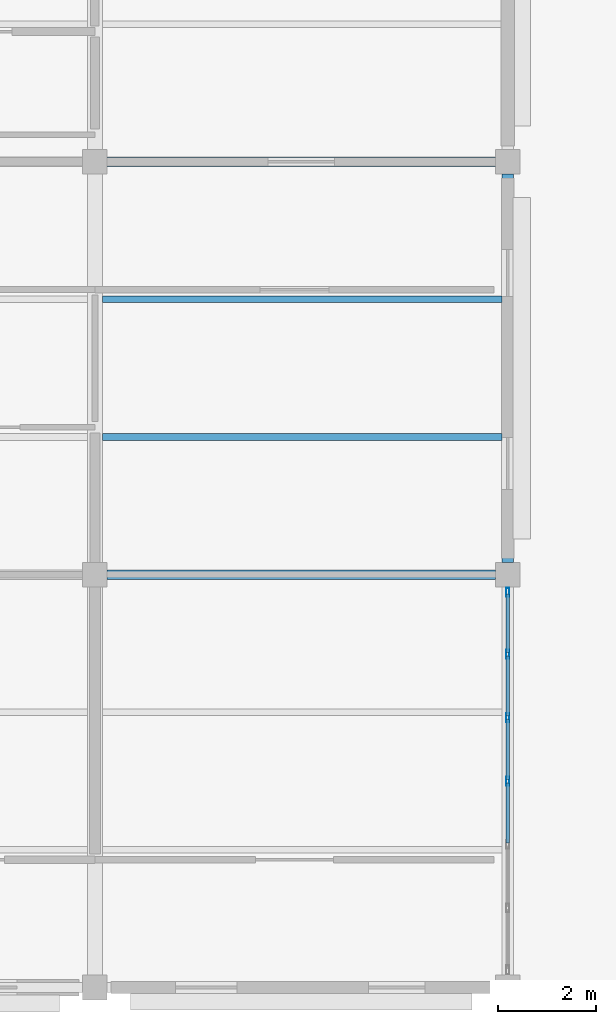
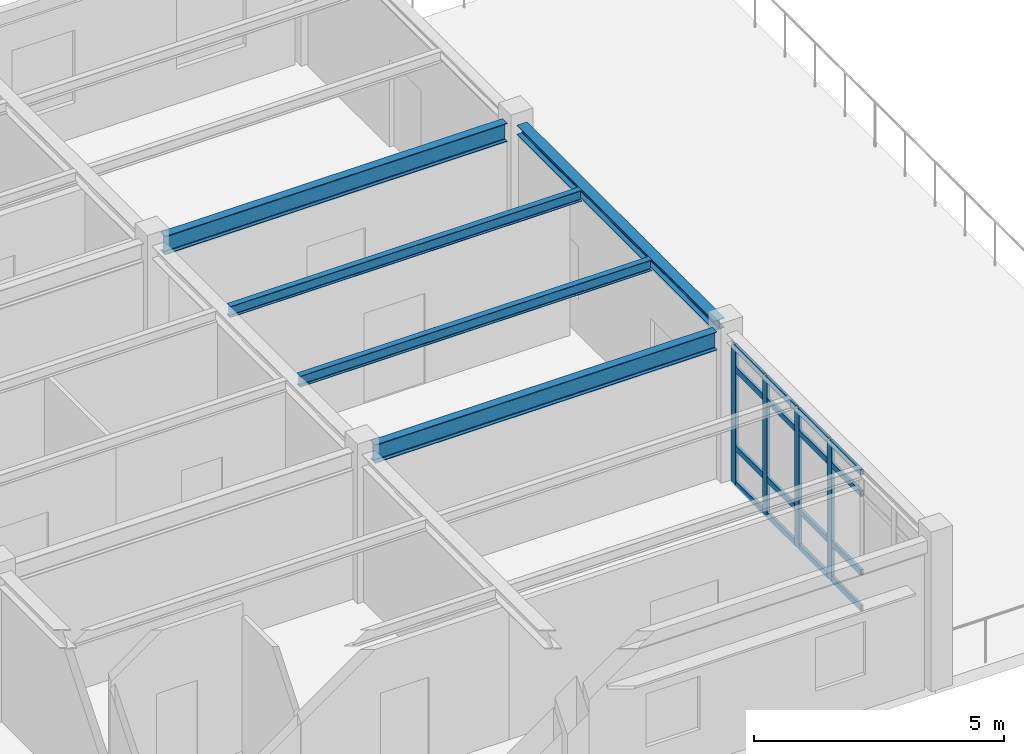
# One storey, part 35 of 70: 20 members, 5 beams, 1 element without a shape of its own.
"""IFC4 building model written with IfcOpenShell, lengths in metres."""

from ifc_helpers import new_model, si_unit, direction, frame, origin, origin_2d, place, context, subcontext, project, spatial, hollow_rectangle, i_section, extrude, material, layer, layer_set, material_profile, profile_set, type_object, element, aggregate, save


model = new_model("IFC4")

# Units and contexts
model_context = context("Model", 3, precision=1e-05, world=origin(), true_north=direction((0.0, 1.0)))
body_context = subcontext(model_context, "Body", "Model", "MODEL_VIEW")
ifc_project = project(units=[si_unit("LENGTHUNIT", "METRE"), si_unit("AREAUNIT", "SQUARE_METRE"), si_unit("VOLUMEUNIT", "CUBIC_METRE"), si_unit("PLANEANGLEUNIT", "RADIAN"), si_unit("MASSUNIT", "GRAM", prefix="KILO")], contexts=[model_context])

# Site, building, storey
site_placement = place(None, origin())
site = spatial("IfcSite", under=ifc_project, at=site_placement, CompositionType="ELEMENT")
building_placement = place(site_placement, origin())
building = spatial("IfcBuilding", under=site, at=building_placement, Name="Bramfleet General Hospital", CompositionType="ELEMENT")
storey_placement = place(building_placement, frame((0.0, 0.0, 22.5)))
storey = spatial("IfcBuildingStorey", under=building, at=storey_placement, Name="L05", CompositionType="ELEMENT", Elevation=22.5)

# Beams
ifc_material_1 = material(Name="Steel S355", Category="steel")
ifc_material_profile_1 = material_profile(ifc_material_1, i_section(OverallWidth=0.239990234375, OverallDepth=0.22998046875, WebThickness=0.007568359375, FlangeThickness=0.011962890625, FilletRadius=0.02099609375, at=origin_2d()), Name="HEA 240")
ifc_profile_set_1 = profile_set([ifc_material_profile_1], Name="Steel S355")
beam_type_1 = type_object("IfcBeamType", Name="BM-HEA240", PredefinedType="SPANDREL", material=ifc_profile_set_1)
beam_placement = place(storey_placement, frame((159.60009765625, 101.050048828125, 3.4951171875), z_axis=(0.0, 1.0, 0.0), x_axis=(-1.0, 0.0, 0.0)))
element("IfcBeam", 1, at=beam_placement, inside=storey, type_object=beam_type_1, Name="L05 Grid Beam Y 19-12", PredefinedType="SPANDREL", context=body_context, shape_type="SweptSolid", body=[
    extrude(i_section(OverallWidth=0.239990234375, OverallDepth=0.22998046875, WebThickness=0.007568359375, FlangeThickness=0.011962890625, FilletRadius=0.02099609375, at=origin_2d()), origin(), (0.0, 0.0, 1.0), 7.89990234375),
])
ifc_material_profile_2 = material_profile(ifc_material_1, i_section(OverallWidth=0.135009765625, OverallDepth=0.27001953125, WebThickness=0.006591796875, FlangeThickness=0.01025390625, FilletRadius=0.014892578125, at=origin_2d()), Name="IPE 270")
ifc_profile_set_2 = profile_set([ifc_material_profile_2], Name="Steel S355")
beam_type_2 = type_object("IfcBeamType", Name="BM-IPE270", PredefinedType="JOIST", material=ifc_profile_set_2)
for number, where, z_axis, x_axis, name in (
    (2, (151.35009765625, 103.60009765625, 3.47509765625), (1.0, 0.0, 0.0), (0.0, 1.0, 0.0), "L05 Secondary Joist 18-12-1"),
    (3, (151.35009765625, 106.39990234375, 3.47509765625), (1.0, 0.0, 0.0), (0.0, 1.0, 0.0), "L05 Secondary Joist 18-12-2"),
):
    element("IfcBeam", number, at=place(storey_placement, frame(where, z_axis=z_axis, x_axis=x_axis)), inside=storey, type_object=beam_type_2, Name=name, PredefinedType="JOIST", context=body_context, shape_type="SweptSolid", body=[
        extrude(i_section(OverallWidth=0.135009765625, OverallDepth=0.27001953125, WebThickness=0.006591796875, FlangeThickness=0.01025390625, FilletRadius=0.014892578125, at=origin_2d()), origin(), (0.0, 0.0, 1.0), 8.1298828125),
    ])
ifc_material_profile_3 = material_profile(ifc_material_1, i_section(OverallWidth=0.18994140625, OverallDepth=0.449951171875, WebThickness=0.009521484375, FlangeThickness=0.0146484375, FilletRadius=0.02099609375, at=origin_2d()), Name="IPE 450")
ifc_profile_set_3 = profile_set([ifc_material_profile_3], Name="Steel S355")
beam_type_3 = type_object("IfcBeamType", Name="BM-IPE450", PredefinedType="BEAM", material=ifc_profile_set_3)
for number, where, z_axis, x_axis, name in (
    (4, (151.449951171875, 100.800048828125, 3.385009765625), (1.0, 0.0, 0.0), (0.0, 1.0, 0.0), "L05 Grid Beam X 18-12"),
    (5, (151.449951171875, 109.199951171875, 3.385009765625), (1.0, 0.0, 0.0), (0.0, 1.0, 0.0), "L05 Grid Beam X 18-13"),
):
    element("IfcBeam", number, at=place(storey_placement, frame(where, z_axis=z_axis, x_axis=x_axis)), inside=storey, type_object=beam_type_3, Name=name, PredefinedType="BEAM", context=body_context, shape_type="SweptSolid", body=[
        extrude(i_section(OverallWidth=0.18994140625, OverallDepth=0.449951171875, WebThickness=0.009521484375, FlangeThickness=0.0146484375, FilletRadius=0.02099609375, at=origin_2d()), origin(), (0.0, 0.0, 1.0), 7.900146484375),
    ])

# Curtain wall, members
ifc_material_2 = material(Name="Anodised aluminium and low-E triple glazing", Category="aluminium")
ifc_layer = layer(ifc_material_2, 0.179931640625, Name="CWT-CW-07")
ifc_layer_set = layer_set([ifc_layer], Name="Anodised aluminium and low-E triple glazing")
curtain_wall_type = type_object("IfcCurtainWallType", Name="CWT-CW-07", PredefinedType="USERDEFINED", material=ifc_layer_set)
curtain_wall_placement = place(storey_placement, origin())
curtain_wall = element("IfcCurtainWall", 6, at=curtain_wall_placement, inside=storey, type_object=curtain_wall_type, Name="L05 Curtain Wall 205", ObjectType="Unitised curtain wall", PredefinedType="USERDEFINED")
ifc_material_3 = material(Name="Anodised aluminium EN AW-6060", Category="aluminium")
ifc_material_profile_4 = material_profile(ifc_material_3, hollow_rectangle(XDim=0.070068359375, YDim=0.179931640625, WallThickness=0.00390625, at=origin_2d()), Name="ALU 180x70x4.0")
ifc_profile_set_4 = profile_set([ifc_material_profile_4], Name="Anodised aluminium EN AW-6060")
member_type_1 = type_object("IfcMemberType", Name="CWM-ALU180", PredefinedType="MULLION", material=ifc_profile_set_4)
member_1_placement = place(storey_placement, frame((159.60009765625, 100.43994140625, 0.0), z_axis=(0.0, 0.0, 1.0), x_axis=(1.0, 0.0, 0.0)))
member_1 = element("IfcMember", 7, at=member_1_placement, type_object=member_type_1, Name="CW-07 mullion 1", PredefinedType="MULLION", context=body_context, shape_type="SweptSolid", body=[
    extrude(hollow_rectangle(XDim=0.070068359375, YDim=0.179931640625, WallThickness=0.00390625, at=origin_2d()), origin(), (0.0, 0.0, 1.0), 3.3701171875),
])
member_2_placement = place(storey_placement, frame((159.60009765625, 99.183349609375, 0.0), z_axis=(0.0, 0.0, 1.0), x_axis=(1.0, 0.0, 0.0)))
member_2 = element("IfcMember", 8, at=member_2_placement, type_object=member_type_1, Name="CW-07 mullion 2", PredefinedType="MULLION", context=body_context, shape_type="SweptSolid", body=[
    extrude(hollow_rectangle(XDim=0.070068359375, YDim=0.179931640625, WallThickness=0.00390625, at=origin_2d()), origin(), (0.0, 0.0, 1.0), 3.3701171875),
])
member_3_placement = place(storey_placement, frame((159.60009765625, 97.8916015625, 0.0), z_axis=(0.0, 0.0, 1.0), x_axis=(1.0, 0.0, 0.0)))
member_3 = element("IfcMember", 9, at=member_3_placement, type_object=member_type_1, Name="CW-07 mullion 3", PredefinedType="MULLION", context=body_context, shape_type="SweptSolid", body=[
    extrude(hollow_rectangle(XDim=0.070068359375, YDim=0.179931640625, WallThickness=0.00390625, at=origin_2d()), origin(), (0.0, 0.0, 1.0), 3.3701171875),
])
member_4_placement = place(storey_placement, frame((159.60009765625, 96.60009765625, 0.0), z_axis=(0.0, 0.0, 1.0), x_axis=(1.0, 0.0, 0.0)))
member_4 = element("IfcMember", 10, at=member_4_placement, type_object=member_type_1, Name="CW-07 mullion 4", PredefinedType="MULLION", context=body_context, shape_type="SweptSolid", body=[
    extrude(hollow_rectangle(XDim=0.070068359375, YDim=0.179931640625, WallThickness=0.00390625, at=origin_2d()), origin(), (0.0, 0.0, 1.0), 3.3701171875),
])
ifc_material_profile_5 = material_profile(ifc_material_3, hollow_rectangle(XDim=0.06494140625, YDim=0.139892578125, WallThickness=0.00390625, at=origin_2d()), Name="ALU 140x65x4.0")
ifc_profile_set_5 = profile_set([ifc_material_profile_5], Name="Anodised aluminium EN AW-6060")
member_type_2 = type_object("IfcMemberType", Name="CWT-ALU140", PredefinedType="USERDEFINED", material=ifc_profile_set_5)
member_5_placement = place(storey_placement, frame((159.60009765625, 100.405029296875, 0.032470703125), z_axis=(0.0, -1.0, 0.0), x_axis=(1.0, 0.0, 0.0)))
member_5 = element("IfcMember", 11, at=member_5_placement, type_object=member_type_2, Name="CW-07 transom 1.1", ObjectType="TRANSOM", PredefinedType="USERDEFINED", context=body_context, shape_type="SweptSolid", body=[
    extrude(hollow_rectangle(XDim=0.06494140625, YDim=0.139892578125, WallThickness=0.00390625, at=origin_2d()), origin(), (0.0, 0.0, 1.0), 1.186767578125),
])
member_6_placement = place(storey_placement, frame((159.60009765625, 100.405029296875, 0.89990234375), z_axis=(0.0, -1.0, 0.0), x_axis=(1.0, 0.0, 0.0)))
member_6 = element("IfcMember", 12, at=member_6_placement, type_object=member_type_2, Name="CW-07 transom 1.2", ObjectType="TRANSOM", PredefinedType="USERDEFINED", context=body_context, shape_type="SweptSolid", body=[
    extrude(hollow_rectangle(XDim=0.06494140625, YDim=0.139892578125, WallThickness=0.00390625, at=origin_2d()), origin(), (0.0, 0.0, 1.0), 1.186767578125),
])
member_7_placement = place(storey_placement, frame((159.60009765625, 100.405029296875, 2.820068359375), z_axis=(0.0, -1.0, 0.0), x_axis=(1.0, 0.0, 0.0)))
member_7 = element("IfcMember", 13, at=member_7_placement, type_object=member_type_2, Name="CW-07 transom 1.3", ObjectType="TRANSOM", PredefinedType="USERDEFINED", context=body_context, shape_type="SweptSolid", body=[
    extrude(hollow_rectangle(XDim=0.06494140625, YDim=0.139892578125, WallThickness=0.00390625, at=origin_2d()), origin(), (0.0, 0.0, 1.0), 1.186767578125),
])
member_8_placement = place(storey_placement, frame((159.60009765625, 100.405029296875, 3.33740234375), z_axis=(0.0, -1.0, 0.0), x_axis=(1.0, 0.0, 0.0)))
member_8 = element("IfcMember", 14, at=member_8_placement, type_object=member_type_2, Name="CW-07 transom 1.4", ObjectType="TRANSOM", PredefinedType="USERDEFINED", context=body_context, shape_type="SweptSolid", body=[
    extrude(hollow_rectangle(XDim=0.06494140625, YDim=0.139892578125, WallThickness=0.00390625, at=origin_2d()), origin(), (0.0, 0.0, 1.0), 1.186767578125),
])
member_9_placement = place(storey_placement, frame((159.60009765625, 99.1484375, 0.032470703125), z_axis=(0.0, -1.0, 0.0), x_axis=(1.0, 0.0, 0.0)))
member_9 = element("IfcMember", 15, at=member_9_placement, type_object=member_type_2, Name="CW-07 transom 2.1", ObjectType="TRANSOM", PredefinedType="USERDEFINED", context=body_context, shape_type="SweptSolid", body=[
    extrude(hollow_rectangle(XDim=0.06494140625, YDim=0.139892578125, WallThickness=0.00390625, at=origin_2d()), origin(), (0.0, 0.0, 1.0), 1.2216796875),
])
member_10_placement = place(storey_placement, frame((159.60009765625, 99.1484375, 0.89990234375), z_axis=(0.0, -1.0, 0.0), x_axis=(1.0, 0.0, 0.0)))
member_10 = element("IfcMember", 16, at=member_10_placement, type_object=member_type_2, Name="CW-07 transom 2.2", ObjectType="TRANSOM", PredefinedType="USERDEFINED", context=body_context, shape_type="SweptSolid", body=[
    extrude(hollow_rectangle(XDim=0.06494140625, YDim=0.139892578125, WallThickness=0.00390625, at=origin_2d()), origin(), (0.0, 0.0, 1.0), 1.2216796875),
])
member_11_placement = place(storey_placement, frame((159.60009765625, 99.1484375, 2.820068359375), z_axis=(0.0, -1.0, 0.0), x_axis=(1.0, 0.0, 0.0)))
member_11 = element("IfcMember", 17, at=member_11_placement, type_object=member_type_2, Name="CW-07 transom 2.3", ObjectType="TRANSOM", PredefinedType="USERDEFINED", context=body_context, shape_type="SweptSolid", body=[
    extrude(hollow_rectangle(XDim=0.06494140625, YDim=0.139892578125, WallThickness=0.00390625, at=origin_2d()), origin(), (0.0, 0.0, 1.0), 1.2216796875),
])
member_12_placement = place(storey_placement, frame((159.60009765625, 99.1484375, 3.33740234375), z_axis=(0.0, -1.0, 0.0), x_axis=(1.0, 0.0, 0.0)))
member_12 = element("IfcMember", 18, at=member_12_placement, type_object=member_type_2, Name="CW-07 transom 2.4", ObjectType="TRANSOM", PredefinedType="USERDEFINED", context=body_context, shape_type="SweptSolid", body=[
    extrude(hollow_rectangle(XDim=0.06494140625, YDim=0.139892578125, WallThickness=0.00390625, at=origin_2d()), origin(), (0.0, 0.0, 1.0), 1.2216796875),
])
member_13_placement = place(storey_placement, frame((159.60009765625, 97.856689453125, 0.032470703125), z_axis=(0.0, -1.0, 0.0), x_axis=(1.0, 0.0, 0.0)))
member_13 = element("IfcMember", 19, at=member_13_placement, type_object=member_type_2, Name="CW-07 transom 3.1", ObjectType="TRANSOM", PredefinedType="USERDEFINED", context=body_context, shape_type="SweptSolid", body=[
    extrude(hollow_rectangle(XDim=0.06494140625, YDim=0.139892578125, WallThickness=0.00390625, at=origin_2d()), origin(), (0.0, 0.0, 1.0), 1.2216796875),
])
member_14_placement = place(storey_placement, frame((159.60009765625, 97.856689453125, 0.89990234375), z_axis=(0.0, -1.0, 0.0), x_axis=(1.0, 0.0, 0.0)))
member_14 = element("IfcMember", 20, at=member_14_placement, type_object=member_type_2, Name="CW-07 transom 3.2", ObjectType="TRANSOM", PredefinedType="USERDEFINED", context=body_context, shape_type="SweptSolid", body=[
    extrude(hollow_rectangle(XDim=0.06494140625, YDim=0.139892578125, WallThickness=0.00390625, at=origin_2d()), origin(), (0.0, 0.0, 1.0), 1.2216796875),
])
member_15_placement = place(storey_placement, frame((159.60009765625, 97.856689453125, 2.820068359375), z_axis=(0.0, -1.0, 0.0), x_axis=(1.0, 0.0, 0.0)))
member_15 = element("IfcMember", 21, at=member_15_placement, type_object=member_type_2, Name="CW-07 transom 3.3", ObjectType="TRANSOM", PredefinedType="USERDEFINED", context=body_context, shape_type="SweptSolid", body=[
    extrude(hollow_rectangle(XDim=0.06494140625, YDim=0.139892578125, WallThickness=0.00390625, at=origin_2d()), origin(), (0.0, 0.0, 1.0), 1.2216796875),
])
member_16_placement = place(storey_placement, frame((159.60009765625, 97.856689453125, 3.33740234375), z_axis=(0.0, -1.0, 0.0), x_axis=(1.0, 0.0, 0.0)))
member_16 = element("IfcMember", 22, at=member_16_placement, type_object=member_type_2, Name="CW-07 transom 3.4", ObjectType="TRANSOM", PredefinedType="USERDEFINED", context=body_context, shape_type="SweptSolid", body=[
    extrude(hollow_rectangle(XDim=0.06494140625, YDim=0.139892578125, WallThickness=0.00390625, at=origin_2d()), origin(), (0.0, 0.0, 1.0), 1.2216796875),
])
member_17_placement = place(storey_placement, frame((159.60009765625, 96.56494140625, 0.032470703125), z_axis=(0.0, -1.0, 0.0), x_axis=(1.0, 0.0, 0.0)))
member_17 = element("IfcMember", 23, at=member_17_placement, type_object=member_type_2, Name="CW-07 transom 4.1", ObjectType="TRANSOM", PredefinedType="USERDEFINED", context=body_context, shape_type="SweptSolid", body=[
    extrude(hollow_rectangle(XDim=0.06494140625, YDim=0.139892578125, WallThickness=0.00390625, at=origin_2d()), origin(), (0.0, 0.0, 1.0), 1.2216796875),
])
member_18_placement = place(storey_placement, frame((159.60009765625, 96.56494140625, 0.89990234375), z_axis=(0.0, -1.0, 0.0), x_axis=(1.0, 0.0, 0.0)))
member_18 = element("IfcMember", 24, at=member_18_placement, type_object=member_type_2, Name="CW-07 transom 4.2", ObjectType="TRANSOM", PredefinedType="USERDEFINED", context=body_context, shape_type="SweptSolid", body=[
    extrude(hollow_rectangle(XDim=0.06494140625, YDim=0.139892578125, WallThickness=0.00390625, at=origin_2d()), origin(), (0.0, 0.0, 1.0), 1.2216796875),
])
member_19_placement = place(storey_placement, frame((159.60009765625, 96.56494140625, 2.820068359375), z_axis=(0.0, -1.0, 0.0), x_axis=(1.0, 0.0, 0.0)))
member_19 = element("IfcMember", 25, at=member_19_placement, type_object=member_type_2, Name="CW-07 transom 4.3", ObjectType="TRANSOM", PredefinedType="USERDEFINED", context=body_context, shape_type="SweptSolid", body=[
    extrude(hollow_rectangle(XDim=0.06494140625, YDim=0.139892578125, WallThickness=0.00390625, at=origin_2d()), origin(), (0.0, 0.0, 1.0), 1.2216796875),
])
member_20_placement = place(storey_placement, frame((159.60009765625, 96.56494140625, 3.33740234375), z_axis=(0.0, -1.0, 0.0), x_axis=(1.0, 0.0, 0.0)))
member_20 = element("IfcMember", 26, at=member_20_placement, type_object=member_type_2, Name="CW-07 transom 4.4", ObjectType="TRANSOM", PredefinedType="USERDEFINED", context=body_context, shape_type="SweptSolid", body=[
    extrude(hollow_rectangle(XDim=0.06494140625, YDim=0.139892578125, WallThickness=0.00390625, at=origin_2d()), origin(), (0.0, 0.0, 1.0), 1.2216796875),
])
aggregate(curtain_wall, [member_1, member_2, member_3, member_4, member_5, member_6, member_7, member_8, member_9, member_10, member_11, member_12, member_13, member_14, member_15, member_16, member_17, member_18, member_19, member_20])

save(model, "model.ifc")
